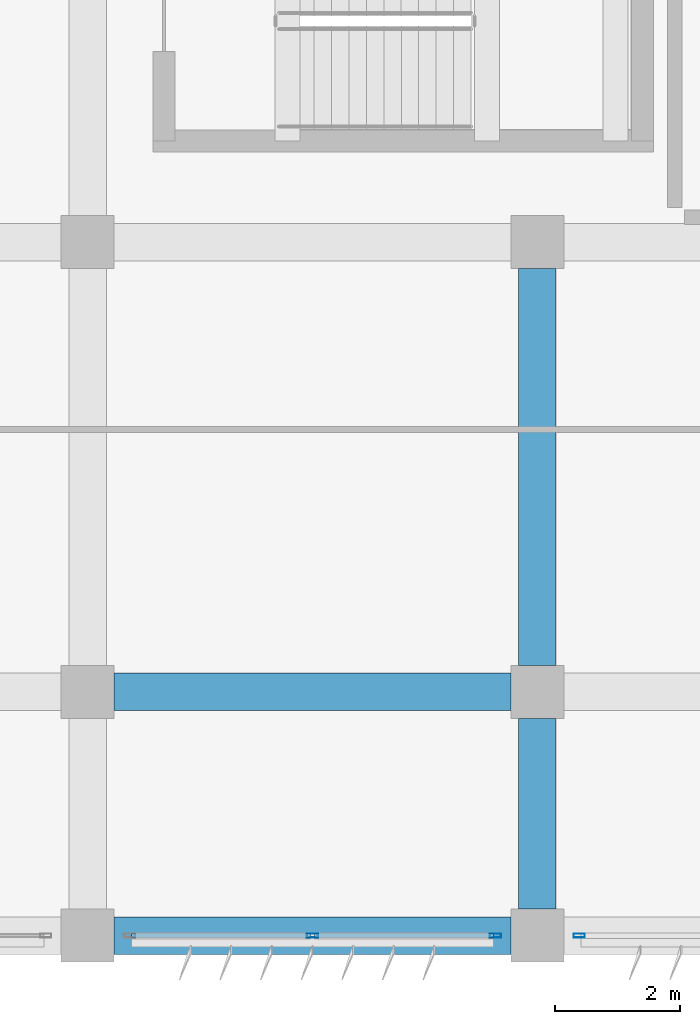
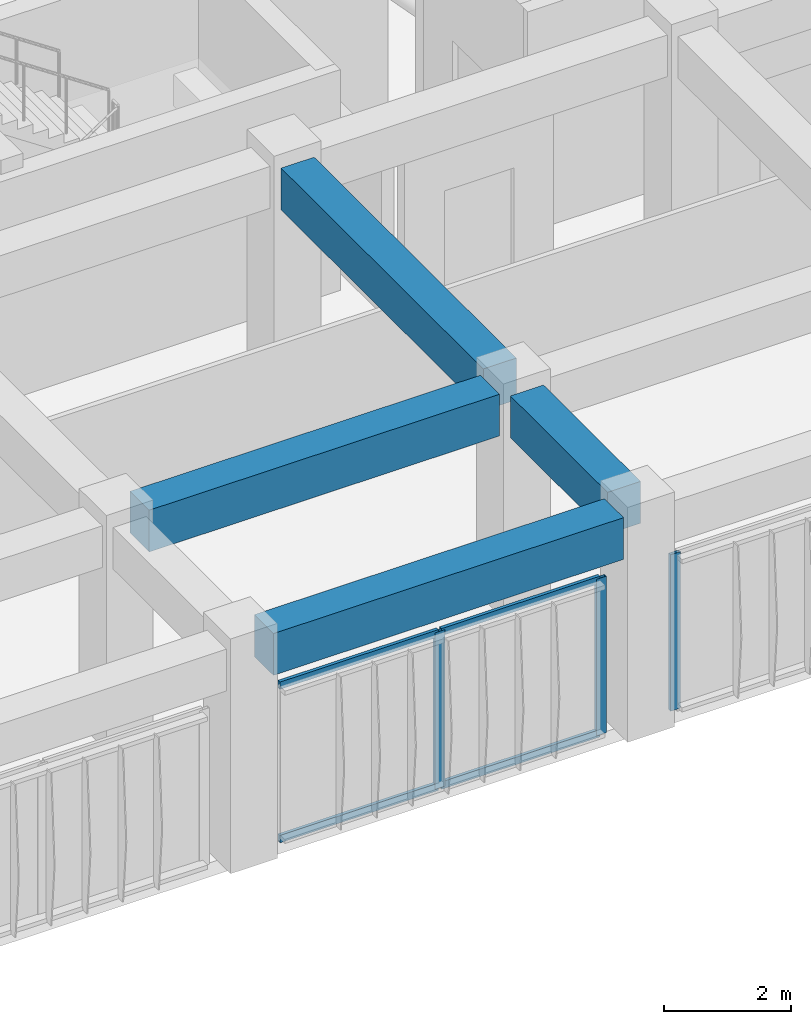
# One storey, part 3 of 48: 7 members, 4 beams, 2 elements without a shape of their own.
"""IFC4 building model written with IfcOpenShell, lengths in metres."""

import ifcopenshell
import ifcopenshell.guid

model = None  # the IFC model being written
_history = None  # IfcOwnerHistory: only IFC2X3 demands one
_inside = {}  # id of a spatial element -> (the spatial element, [elements in it])
_under = {}  # id of a project, library or spatial element -> (it, [spatial elements below it])
_declared = {}  # id of a project -> (the project, [libraries it declares])
_typed = {}  # id of a type object -> (the type object, [elements of that type])
_made_of = {}  # id of a material, layer set ... -> (it, [elements and type objects made of it])


def new_model(schema):
    """Start an empty IFC model of exactly this schema.

    Asked for "IFC4X3", IfcOpenShell would pick the latest addendum, in which some entities
    have other attributes; the version numbers below select the first issue.
    IFC2X3 requires an IfcOwnerHistory on every rooted entity: one is made here for all.
    """
    global model, _history
    if schema == "IFC4X3":
        model = ifcopenshell.file(schema_version=(4, 3, 0, 0))
    else:
        model = ifcopenshell.file(schema=schema)
    _inside.clear()
    _under.clear()
    _declared.clear()
    _typed.clear()
    _made_of.clear()
    _history = None
    if model.schema == "IFC2X3":
        org = make("IfcOrganization", Name="unknown")
        user = make(
            "IfcPersonAndOrganization",
            ThePerson=make("IfcPerson", FamilyName="unknown"),
            TheOrganization=org,
        )
        app = make(
            "IfcApplication",
            ApplicationDeveloper=org,
            Version="unknown",
            ApplicationFullName="unknown",
            ApplicationIdentifier="unknown",
        )
        _history = make(
            "IfcOwnerHistory",
            OwningUser=user,
            OwningApplication=app,
            ChangeAction="ADDED",
            CreationDate=0,
        )
    return model


def make(cls, **values):
    """One entity of the class cls with the attributes given. An attribute that is None is left unset."""
    return model.create_entity(
        cls, **{name: value for name, value in values.items() if value is not None}
    )


def rooted(cls, **values):
    """An entity with a GlobalId (a new one), such as an element, a storey or a relation."""
    return make(cls, GlobalId=ifcopenshell.guid.new(), OwnerHistory=_history, **values)


def si_unit(unit_type, name, prefix=None):
    """IfcSIUnit, for example si_unit("LENGTHUNIT", "METRE", prefix="MILLI")."""
    return make("IfcSIUnit", UnitType=unit_type, Prefix=prefix, Name=name)


def assignment(units):
    """IfcUnitAssignment: the units of a project."""
    return None if units is None else make("IfcUnitAssignment", Units=units)


def point(xyz):
    """IfcCartesianPoint."""
    return None if xyz is None else make("IfcCartesianPoint", Coordinates=xyz)


def direction(xyz):
    """IfcDirection."""
    return None if xyz is None else make("IfcDirection", DirectionRatios=xyz)


def frame(location, z_axis=None, x_axis=None):
    """IfcAxis2Placement3D, a coordinate frame: its origin and axes. An axis left out is left unset."""
    return make(
        "IfcAxis2Placement3D",
        Location=point(location),
        Axis=direction(z_axis),
        RefDirection=direction(x_axis),
    )


def frame_2d(location, x_axis=None):
    """IfcAxis2Placement2D, a coordinate frame in the plane: its origin and x axis."""
    return make(
        "IfcAxis2Placement2D", Location=point(location), RefDirection=direction(x_axis)
    )


def origin():
    """The frame at (0, 0, 0) with its axes left unset."""
    return frame((0.0, 0.0, 0.0))


def origin_2d():
    """The frame at (0, 0) in the plane with its x axis left unset."""
    return frame_2d((0.0, 0.0))


def place(relative_to, where):
    """IfcLocalPlacement: puts the frame where relative to a parent placement (None: the world)."""
    return make(
        "IfcLocalPlacement", PlacementRelTo=relative_to, RelativePlacement=where
    )


def context(
    kind, dimensions, precision=None, world=None, true_north=None, identifier=None
):
    """IfcGeometricRepresentationContext, for example the 3D "Model" context."""
    return make(
        "IfcGeometricRepresentationContext",
        ContextIdentifier=identifier,
        ContextType=kind,
        CoordinateSpaceDimension=dimensions,
        Precision=precision,
        WorldCoordinateSystem=world,
        TrueNorth=true_north,
    )


def subcontext(parent, identifier, kind, view, scale=None):
    """IfcGeometricRepresentationSubContext, for example "Body" below "Model"."""
    return make(
        "IfcGeometricRepresentationSubContext",
        ContextIdentifier=identifier,
        ContextType=kind,
        ParentContext=parent,
        TargetScale=scale,
        TargetView=view,
    )


def project(units=None, contexts=None):
    """IfcProject with its units and contexts."""
    return rooted(
        "IfcProject",
        Name="project",
        RepresentationContexts=contexts,
        UnitsInContext=assignment(units),
    )


def spatial(cls, under=None, at=None, **own):
    """A site, building, storey or space (cls), placed at a placement, below another one or the project."""
    s = rooted(cls, ObjectPlacement=at, **own)
    if under is not None:
        _under.setdefault(under.id(), (under, []))[1].append(s)
    return s


def profile(cls, at=None, kind="AREA", **sizes):
    """A parametric profile (cls). Its sizes go by their IFC names, for example OverallWidth=200.0."""
    return make(cls, ProfileType=kind, Position=at, **sizes)


def rectangle(**sizes):
    """IfcRectangleProfileDef."""
    return profile("IfcRectangleProfileDef", **sizes)


def hollow_rectangle(**sizes):
    """IfcRectangleHollowProfileDef."""
    return profile("IfcRectangleHollowProfileDef", **sizes)


def extrude(swept, where, along, depth):
    """IfcExtrudedAreaSolid: the profile swept, set in the frame where, extruded along a direction by depth."""
    return make(
        "IfcExtrudedAreaSolid",
        SweptArea=swept,
        Position=where,
        ExtrudedDirection=direction(along),
        Depth=depth,
    )


def shape(context_of_items, identifier, shape_type, items):
    """IfcShapeRepresentation: the items that make up one representation, for example the "Body"."""
    return make(
        "IfcShapeRepresentation",
        ContextOfItems=context_of_items,
        RepresentationIdentifier=identifier,
        RepresentationType=shape_type,
        Items=items,
    )


def material(Name=None, Category=None):
    """IfcMaterial."""
    return make("IfcMaterial", Name=Name, Category=Category)


def material_profile(
    of_material, cross_section, Name=None, Category=None, Priority=None
):
    """IfcMaterialProfile: a cross section and its material."""
    return make(
        "IfcMaterialProfile",
        Name=Name,
        Material=of_material,
        Profile=cross_section,
        Priority=Priority,
        Category=Category,
    )


def profile_set(profiles, Name=None, composite=None):
    """IfcMaterialProfileSet."""
    return make(
        "IfcMaterialProfileSet",
        Name=Name,
        MaterialProfiles=profiles,
        CompositeProfile=composite,
    )


def made_of(thing, what):
    """Note that an element or type object is made of a material, layer set ...; save() writes the relation."""
    if what is not None:
        _made_of.setdefault(what.id(), (what, []))[1].append(thing)
    return thing


def type_object(cls, material=None, **own):
    """A type object (cls), such as IfcWallType, which elements share."""
    return made_of(rooted(cls, **own), material)


def element(
    cls,
    number,
    at=None,
    inside=None,
    cuts=None,
    type_object=None,
    material=None,
    context=None,
    identifier="Body",
    shape_type=None,
    held_by="IfcProductDefinitionShape",
    body=None,
    shapes=None,
    **own,
):
    """One element of the class cls, such as IfcWall. Its Tag is "e" and its number.

    at: its placement. inside: the storey or other place that contains it. cuts: it is an
    opening in that element (IfcRelVoidsElement). A single representation is given by context,
    identifier, shape_type and body (its items); several are given by shapes. held_by: the class
    of the entity that holds the representations. save() writes the other relations.
    """
    e = rooted(cls, Tag="e%d" % number, ObjectPlacement=at, **own)
    if body is not None:
        shapes = [shape(context, identifier, shape_type, body)]
    if shapes is not None:
        e.Representation = make(held_by, Representations=shapes)
    if inside is not None:
        _inside.setdefault(inside.id(), (inside, []))[1].append(e)
    if cuts is not None:
        rooted(
            "IfcRelVoidsElement", RelatingBuildingElement=cuts, RelatedOpeningElement=e
        )
    if type_object is not None:
        _typed.setdefault(type_object.id(), (type_object, []))[1].append(e)
    return made_of(e, material)


def aggregate(whole, parts):
    """IfcRelAggregates: a whole, such as a stair, and the parts it consists of."""
    return rooted("IfcRelAggregates", RelatingObject=whole, RelatedObjects=parts)


def save(model, path):
    """Write the relations noted so far, then the file.

    IfcRelAggregates (storeys below a building ...), IfcRelContainedInSpatialStructure (elements
    in a storey), IfcRelDefinesByType, IfcRelAssociatesMaterial and IfcRelDeclares: one each for
    every whole, place, type object, material and project.
    """
    for whole, parts in _under.values():
        aggregate(whole, parts)
    for where, things in _inside.values():
        rooted(
            "IfcRelContainedInSpatialStructure",
            RelatedElements=things,
            RelatingStructure=where,
        )
    for kind, things in _typed.values():
        rooted("IfcRelDefinesByType", RelatedObjects=things, RelatingType=kind)
    for what, things in _made_of.values():
        rooted("IfcRelAssociatesMaterial", RelatedObjects=things, RelatingMaterial=what)
    for by, libraries in _declared.values():
        rooted("IfcRelDeclares", RelatingContext=by, RelatedDefinitions=libraries)
    model.write(path)


model = new_model("IFC4")

# Units and contexts
model_context = context("Model", 3, precision=1e-05, world=origin(), true_north=direction((0.0, 1.0)))
body_context = subcontext(model_context, "Body", "Model", "MODEL_VIEW")
ifc_project = project(units=[si_unit("LENGTHUNIT", "METRE"), si_unit("AREAUNIT", "SQUARE_METRE"), si_unit("VOLUMEUNIT", "CUBIC_METRE"), si_unit("PLANEANGLEUNIT", "RADIAN"), si_unit("MASSUNIT", "GRAM", prefix="KILO")], contexts=[model_context])

# Site, building, storey
site_placement = place(None, origin())
site = spatial("IfcSite", under=ifc_project, at=site_placement, CompositionType="ELEMENT")
building_placement = place(site_placement, origin())
building = spatial("IfcBuilding", under=site, at=building_placement, Name="Kazehaya Institute of Natural Sciences", CompositionType="ELEMENT")
storey_placement = place(building_placement, frame((0.0, 0.0, 19.800048828125)))
storey = spatial("IfcBuildingStorey", under=building, at=storey_placement, Name="L04", CompositionType="ELEMENT", Elevation=19.800048828125)

# Beams
ifc_material_1 = material(Name="Concrete Fc36", Category="concrete")
ifc_material_profile_1 = material_profile(ifc_material_1, rectangle(XDim=0.60009765625, YDim=0.800048828125, at=origin_2d()), Name="RC-600x800")
ifc_profile_set_1 = profile_set([ifc_material_profile_1], Name="Concrete Fc36")
beam_type = type_object("IfcBeamType", Name="BM-G-600x800", PredefinedType="BEAM", material=ifc_profile_set_1)
for number, where, z_axis, x_axis, name in (
    (1, (62.22509765625, 10.10009765625, 3.829833984375), (1.0, 0.0, 0.0), (0.0, 1.0, 0.0), "L04 primary X girder BMX-L04-618-101"),
    (2, (62.22509765625, 14.0, 3.829833984375), (1.0, 0.0, 0.0), (0.0, 1.0, 0.0), "L04 primary X girder BMX-L04-618-140"),
):
    element("IfcBeam", number, at=place(storey_placement, frame(where, z_axis=z_axis, x_axis=x_axis)), inside=storey, type_object=beam_type, Name=name, PredefinedType="BEAM", context=body_context, shape_type="SweptSolid", body=[
        extrude(rectangle(XDim=0.60009765625, YDim=0.800048828125, at=origin_2d()), origin(), (0.0, 0.0, 1.0), 6.349853515625),
    ])
beam_1_placement = place(storey_placement, frame((69.0, 10.52490234375, 3.829833984375), z_axis=(0.0, 1.0, 0.0), x_axis=(-1.0, 0.0, 0.0)))
element("IfcBeam", 3, at=beam_1_placement, inside=storey, type_object=beam_type, Name="L04 primary Y girder BMY-L04-690-101", PredefinedType="BEAM", context=body_context, shape_type="SweptSolid", body=[
    extrude(rectangle(XDim=0.60009765625, YDim=0.800048828125, at=origin_2d()), origin(), (0.0, 0.0, 1.0), 3.050048828125),
])
beam_2_placement = place(storey_placement, frame((69.0, 14.425048828125, 3.829833984375), z_axis=(0.0, 1.0, 0.0), x_axis=(-1.0, 0.0, 0.0)))
element("IfcBeam", 4, at=beam_2_placement, inside=storey, type_object=beam_type, Name="L04 primary Y girder BMY-L04-690-140", PredefinedType="BEAM", context=body_context, shape_type="SweptSolid", body=[
    extrude(rectangle(XDim=0.60009765625, YDim=0.800048828125, at=origin_2d()), origin(), (0.0, 0.0, 1.0), 6.349853515625),
])

# Curtain wall, member
ifc_material_2 = material(Name="Aluminium alloy A6063S-T5", Category="aluminium")
curtain_wall_type = type_object("IfcCurtainWallType", Name="CW-SYS-04", PredefinedType="NOTDEFINED", material=ifc_material_2)
curtain_wall_1_placement = place(storey_placement, origin())
curtain_wall_1 = element("IfcCurtainWall", 5, at=curtain_wall_1_placement, inside=storey, type_object=curtain_wall_type, Name="L04 unitised curtain wall CW-L04-081", PredefinedType="NOTDEFINED")
ifc_material_profile_2 = material_profile(ifc_material_2, hollow_rectangle(XDim=0.06005859375, YDim=0.179931640625, WallThickness=0.00390625, at=origin_2d()), Name="ALU-60x180x4")
ifc_profile_set_2 = profile_set([ifc_material_profile_2], Name="Aluminium alloy A6063S-T5")
member_type_1 = type_object("IfcMemberType", Name="CWM-180", PredefinedType="MULLION", material=ifc_profile_set_2)
member_1_placement = place(storey_placement, frame((69.669921875, 10.10009765625, 0.0), z_axis=(0.0, 0.0, 1.0), x_axis=(0.0, -1.0, 0.0)))
member_1 = element("IfcMember", 6, at=member_1_placement, type_object=member_type_1, Name="CW04 mullion 3", PredefinedType="MULLION", context=body_context, shape_type="SweptSolid", body=[
    extrude(hollow_rectangle(XDim=0.06005859375, YDim=0.179931640625, WallThickness=0.00390625, at=origin_2d()), origin(), (0.0, 0.0, 1.0), 3.0),
])
aggregate(curtain_wall_1, [member_1])

# Curtain wall, members
curtain_wall_2_placement = place(storey_placement, origin())
curtain_wall_2 = element("IfcCurtainWall", 7, at=curtain_wall_2_placement, inside=storey, type_object=curtain_wall_type, Name="L04 unitised curtain wall CW-L04-082", PredefinedType="NOTDEFINED")
member_2_placement = place(storey_placement, frame((68.330078125, 10.10009765625, 0.0), z_axis=(0.0, 0.0, 1.0), x_axis=(0.0, -1.0, 0.0)))
member_2 = element("IfcMember", 8, at=member_2_placement, type_object=member_type_1, Name="CW04 mullion 1", PredefinedType="MULLION", context=body_context, shape_type="SweptSolid", body=[
    extrude(hollow_rectangle(XDim=0.06005859375, YDim=0.179931640625, WallThickness=0.00390625, at=origin_2d()), origin(), (0.0, 0.0, 1.0), 3.0),
])
member_3_placement = place(storey_placement, frame((65.39990234375, 10.10009765625, 0.0), z_axis=(0.0, 0.0, 1.0), x_axis=(0.0, -1.0, 0.0)))
member_3 = element("IfcMember", 9, at=member_3_placement, type_object=member_type_1, Name="CW04 mullion 2", PredefinedType="MULLION", context=body_context, shape_type="SweptSolid", body=[
    extrude(hollow_rectangle(XDim=0.06005859375, YDim=0.179931640625, WallThickness=0.00390625, at=origin_2d()), origin(), (0.0, 0.0, 1.0), 3.0),
])
ifc_material_profile_3 = material_profile(ifc_material_2, hollow_rectangle(XDim=0.06005859375, YDim=0.139892578125, WallThickness=0.00341796875, at=origin_2d()), Name="ALU-60x140x3.5")
ifc_profile_set_3 = profile_set([ifc_material_profile_3], Name="Aluminium alloy A6063S-T5")
member_type_2 = type_object("IfcMemberType", Name="CWT-140", PredefinedType="USERDEFINED", material=ifc_profile_set_3)
member_4_placement = place(storey_placement, frame((68.300048828125, 10.10009765625, 0.030029296875), z_axis=(-1.0, 0.0, 0.0), x_axis=(0.0, -1.0, 0.0)))
member_4 = element("IfcMember", 10, at=member_4_placement, type_object=member_type_2, Name="CW04 transom 1.1", ObjectType="TRANSOM", PredefinedType="USERDEFINED", context=body_context, shape_type="SweptSolid", body=[
    extrude(hollow_rectangle(XDim=0.06005859375, YDim=0.139892578125, WallThickness=0.00341796875, at=origin_2d()), origin(), (0.0, 0.0, 1.0), 2.8701171875),
])
member_5_placement = place(storey_placement, frame((68.300048828125, 10.10009765625, 2.969970703125), z_axis=(-1.0, 0.0, 0.0), x_axis=(0.0, -1.0, 0.0)))
member_5 = element("IfcMember", 11, at=member_5_placement, type_object=member_type_2, Name="CW04 transom 1.2", ObjectType="TRANSOM", PredefinedType="USERDEFINED", context=body_context, shape_type="SweptSolid", body=[
    extrude(hollow_rectangle(XDim=0.06005859375, YDim=0.139892578125, WallThickness=0.00341796875, at=origin_2d()), origin(), (0.0, 0.0, 1.0), 2.8701171875),
])
member_6_placement = place(storey_placement, frame((65.3701171875, 10.10009765625, 0.030029296875), z_axis=(-1.0, 0.0, 0.0), x_axis=(0.0, -1.0, 0.0)))
member_6 = element("IfcMember", 12, at=member_6_placement, type_object=member_type_2, Name="CW04 transom 2.1", ObjectType="TRANSOM", PredefinedType="USERDEFINED", context=body_context, shape_type="SweptSolid", body=[
    extrude(hollow_rectangle(XDim=0.06005859375, YDim=0.139892578125, WallThickness=0.00341796875, at=origin_2d()), origin(), (0.0, 0.0, 1.0), 2.8701171875),
])
member_7_placement = place(storey_placement, frame((65.3701171875, 10.10009765625, 2.969970703125), z_axis=(-1.0, 0.0, 0.0), x_axis=(0.0, -1.0, 0.0)))
member_7 = element("IfcMember", 13, at=member_7_placement, type_object=member_type_2, Name="CW04 transom 2.2", ObjectType="TRANSOM", PredefinedType="USERDEFINED", context=body_context, shape_type="SweptSolid", body=[
    extrude(hollow_rectangle(XDim=0.06005859375, YDim=0.139892578125, WallThickness=0.00341796875, at=origin_2d()), origin(), (0.0, 0.0, 1.0), 2.8701171875),
])
aggregate(curtain_wall_2, [member_2, member_3, member_4, member_5, member_6, member_7])

save(model, "model.ifc")
